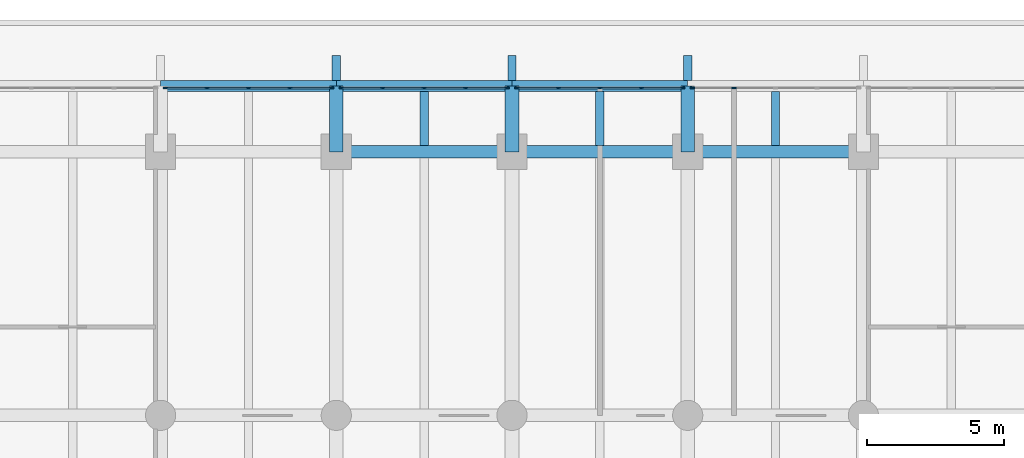
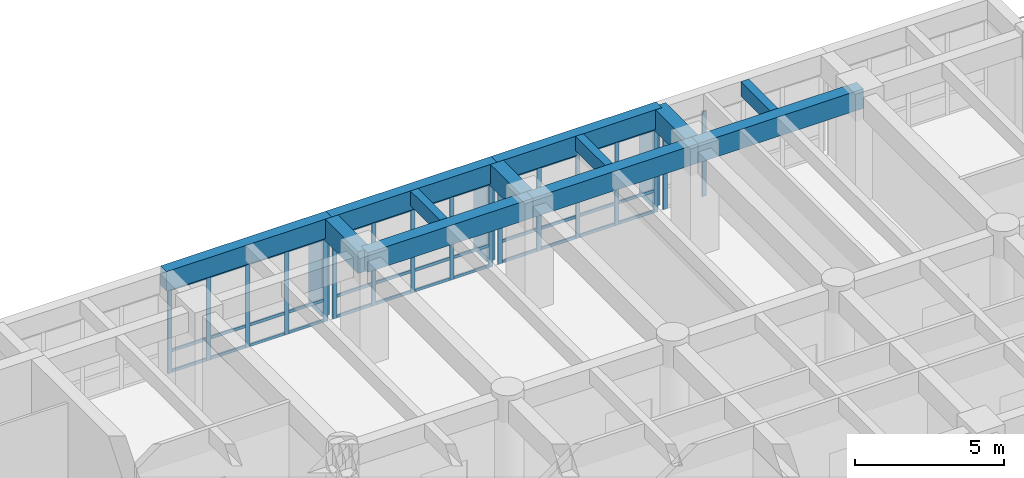
# One storey, part 6 of 21: 56 members, 12 beams, 4 elements without a shape of their own.
"""IFC4 building model written with IfcOpenShell, lengths in metres."""

from ifc_helpers import new_model, si_unit, direction, frame, origin, origin_2d, place, context, subcontext, project, spatial, rectangle, extrude, material, layer, layer_set, material_profile, profile_set, type_object, element, aggregate, save


model = new_model("IFC4")

# Units and contexts
model_context = context("Model", 3, precision=1e-05, world=origin(), true_north=direction((0.0, 1.0)))
body_context = subcontext(model_context, "Body", "Model", "MODEL_VIEW")
ifc_project = project(units=[si_unit("LENGTHUNIT", "METRE"), si_unit("AREAUNIT", "SQUARE_METRE"), si_unit("VOLUMEUNIT", "CUBIC_METRE"), si_unit("PLANEANGLEUNIT", "RADIAN"), si_unit("MASSUNIT", "GRAM", prefix="KILO")], contexts=[model_context])

# Site, building, storey
site_placement = place(None, origin())
site = spatial("IfcSite", under=ifc_project, at=site_placement, CompositionType="ELEMENT")
building_placement = place(site_placement, origin())
building = spatial("IfcBuilding", under=site, at=building_placement, Name="Fogon Plaza Fire Station and Headquarters Tower", CompositionType="ELEMENT")
storey_placement = place(building_placement, frame((0.0, 0.0, 8.39990234375)))
storey = spatial("IfcBuildingStorey", under=building, at=storey_placement, Name="L02", CompositionType="ELEMENT", Elevation=8.39990234375)

# Beams
ifc_material_1 = material(Name="Concrete C40", Category="concrete")
ifc_material_profile_1 = material_profile(ifc_material_1, rectangle(XDim=0.39990234375, YDim=0.800048828125, at=origin_2d()), Name="RC 400x800")
ifc_profile_set_1 = profile_set([ifc_material_profile_1], Name="Concrete C40")
beam_type_1 = type_object("IfcBeamType", Name="BEAM RC 400x800", PredefinedType="BEAM", material=ifc_profile_set_1)
beam_1_placement = place(storey_placement, frame((32.0, 55.199951171875, 3.880126953125), z_axis=(1.0, 0.0, 0.0), x_axis=(0.0, 1.0, 0.0)))
element("IfcBeam", 1, at=beam_1_placement, inside=storey, type_object=beam_type_1, Name="beam-L02-046", PredefinedType="BEAM", context=body_context, shape_type="SweptSolid", body=[
    extrude(rectangle(XDim=0.39990234375, YDim=0.800048828125, at=origin_2d()), origin(), (0.0, 0.0, 1.0), 6.39990234375),
])
beam_2_placement = place(storey_placement, frame((38.39990234375, 55.199951171875, 3.880126953125), z_axis=(1.0, 0.0, 0.0), x_axis=(0.0, 1.0, 0.0)))
element("IfcBeam", 2, at=beam_2_placement, inside=storey, type_object=beam_type_1, Name="beam-L02-047", PredefinedType="BEAM", context=body_context, shape_type="SweptSolid", body=[
    extrude(rectangle(XDim=0.39990234375, YDim=0.800048828125, at=origin_2d()), origin(), (0.0, 0.0, 1.0), 6.400146484375),
])
beam_3_placement = place(storey_placement, frame((44.800048828125, 55.199951171875, 3.880126953125), z_axis=(1.0, 0.0, 0.0), x_axis=(0.0, 1.0, 0.0)))
element("IfcBeam", 3, at=beam_3_placement, inside=storey, type_object=beam_type_1, Name="beam-L02-048", PredefinedType="BEAM", context=body_context, shape_type="SweptSolid", body=[
    extrude(rectangle(XDim=0.39990234375, YDim=0.800048828125, at=origin_2d()), origin(), (0.0, 0.0, 1.0), 6.39990234375),
])
ifc_material_2 = material(Name="Concrete C40", Category="concrete")
ifc_material_profile_2 = material_profile(ifc_material_2, rectangle(XDim=0.449951171875, YDim=0.800048828125, at=origin_2d()), Name="RC 450x800")
ifc_profile_set_2 = profile_set([ifc_material_profile_2], Name="Concrete C40")
beam_type_2 = type_object("IfcBeamType", Name="BEAM RC 450x800", PredefinedType="BEAM", material=ifc_profile_set_2)
beam_4_placement = place(storey_placement, frame((38.39990234375, 52.800048828125, 3.880126953125), z_axis=(1.0, 0.0, 0.0), x_axis=(0.0, 1.0, 0.0)))
element("IfcBeam", 4, at=beam_4_placement, inside=storey, type_object=beam_type_2, Name="beam-L02-035", PredefinedType="BEAM", context=body_context, shape_type="SweptSolid", body=[
    extrude(rectangle(XDim=0.449951171875, YDim=0.800048828125, at=origin_2d()), origin(), (0.0, 0.0, 1.0), 6.400146484375),
])
beam_5_placement = place(storey_placement, frame((44.800048828125, 52.800048828125, 3.880126953125), z_axis=(1.0, 0.0, 0.0), x_axis=(0.0, 1.0, 0.0)))
element("IfcBeam", 5, at=beam_5_placement, inside=storey, type_object=beam_type_2, Name="beam-L02-036", PredefinedType="BEAM", context=body_context, shape_type="SweptSolid", body=[
    extrude(rectangle(XDim=0.449951171875, YDim=0.800048828125, at=origin_2d()), origin(), (0.0, 0.0, 1.0), 6.39990234375),
])
beam_6_placement = place(storey_placement, frame((51.199951171875, 52.800048828125, 3.880126953125), z_axis=(1.0, 0.0, 0.0), x_axis=(0.0, 1.0, 0.0)))
element("IfcBeam", 6, at=beam_6_placement, inside=storey, type_object=beam_type_2, Name="beam-L02-037", PredefinedType="BEAM", context=body_context, shape_type="SweptSolid", body=[
    extrude(rectangle(XDim=0.449951171875, YDim=0.800048828125, at=origin_2d()), origin(), (0.0, 0.0, 1.0), 6.400146484375),
])
ifc_material_3 = material(Name="Concrete C40", Category="concrete")
ifc_material_profile_3 = material_profile(ifc_material_3, rectangle(XDim=0.5, YDim=0.89990234375, at=origin_2d()), Name="RC 500x900")
ifc_profile_set_3 = profile_set([ifc_material_profile_3], Name="Concrete C40")
beam_type_3 = type_object("IfcBeamType", Name="BEAM RC 500x900 SPAN 0.0 TO 3.0 M", PredefinedType="BEAM", material=ifc_profile_set_3)
for number, where, z_axis, x_axis, name in (
    (7, (38.39990234375, 52.800048828125, 3.830078125), (0.0, 1.0, 0.0), (-1.0, 0.0, 0.0), "beam-L02-008"),
    (8, (44.800048828125, 52.800048828125, 3.830078125), (0.0, 1.0, 0.0), (-1.0, 0.0, 0.0), "beam-L02-012"),
    (9, (51.199951171875, 52.800048828125, 3.830078125), (0.0, 1.0, 0.0), (-1.0, 0.0, 0.0), "beam-L02-016"),
):
    element("IfcBeam", number, at=place(storey_placement, frame(where, z_axis=z_axis, x_axis=x_axis)), inside=storey, type_object=beam_type_3, Name=name, PredefinedType="BEAM", context=body_context, shape_type="SweptSolid", body=[
        extrude(rectangle(XDim=0.5, YDim=0.89990234375, at=origin_2d()), origin(), (0.0, 0.0, 1.0), 2.39990234375),
    ])

# Curtain wall, members
ifc_material_4 = material(Name="Aluminium and glass", Category="aluminium")
ifc_layer = layer(ifc_material_4, 0.14990234375)
ifc_layer_set = layer_set([ifc_layer], Name="Aluminium and glass")
curtain_wall_type = type_object("IfcCurtainWallType", Name="Unitised Curtain Wall Run 6100x3480", PredefinedType="NOTDEFINED", material=ifc_layer_set)
curtain_wall_1_placement = place(storey_placement, origin())
curtain_wall_1 = element("IfcCurtainWall", 10, at=curtain_wall_1_placement, inside=storey, type_object=curtain_wall_type, Name="CW-6100x3480 N2 L02", PredefinedType="NOTDEFINED")
ifc_material_5 = material(Name="Aluminium", Category="aluminium")
ifc_material_profile_4 = material_profile(ifc_material_5, rectangle(XDim=0.06005859375, YDim=0.159912109375, at=origin_2d()), Name="Curtain Wall Mullion 60x160")
ifc_profile_set_4 = profile_set([ifc_material_profile_4], Name="Aluminium")
member_type_1 = type_object("IfcMemberType", Name="Curtain Wall Mullion 60x160", PredefinedType="MULLION", material=ifc_profile_set_4)
member_1_placement = place(storey_placement, frame((32.179931640625, 55.1201171875, 0.0), z_axis=(0.0, 0.0, 1.0), x_axis=(0.0, 1.0, 0.0)))
member_1 = element("IfcMember", 11, at=member_1_placement, type_object=member_type_1, Name="CW-6100x3480 mullion 1", PredefinedType="MULLION", context=body_context, shape_type="SweptSolid", body=[
    extrude(rectangle(XDim=0.06005859375, YDim=0.159912109375, at=origin_2d()), origin(), (0.0, 0.0, 1.0), 3.47998046875),
])
member_2_placement = place(storey_placement, frame((33.68994140625, 55.1201171875, 0.0), z_axis=(0.0, 0.0, 1.0), x_axis=(0.0, 1.0, 0.0)))
member_2 = element("IfcMember", 12, at=member_2_placement, type_object=member_type_1, Name="CW-6100x3480 mullion 2", PredefinedType="MULLION", context=body_context, shape_type="SweptSolid", body=[
    extrude(rectangle(XDim=0.06005859375, YDim=0.159912109375, at=origin_2d()), origin(), (0.0, 0.0, 1.0), 3.47998046875),
])
member_3_placement = place(storey_placement, frame((35.199951171875, 55.1201171875, 0.0), z_axis=(0.0, 0.0, 1.0), x_axis=(0.0, 1.0, 0.0)))
member_3 = element("IfcMember", 13, at=member_3_placement, type_object=member_type_1, Name="CW-6100x3480 mullion 3", PredefinedType="MULLION", context=body_context, shape_type="SweptSolid", body=[
    extrude(rectangle(XDim=0.06005859375, YDim=0.159912109375, at=origin_2d()), origin(), (0.0, 0.0, 1.0), 3.47998046875),
])
member_4_placement = place(storey_placement, frame((36.7099609375, 55.1201171875, 0.0), z_axis=(0.0, 0.0, 1.0), x_axis=(0.0, 1.0, 0.0)))
member_4 = element("IfcMember", 14, at=member_4_placement, type_object=member_type_1, Name="CW-6100x3480 mullion 4", PredefinedType="MULLION", context=body_context, shape_type="SweptSolid", body=[
    extrude(rectangle(XDim=0.06005859375, YDim=0.159912109375, at=origin_2d()), origin(), (0.0, 0.0, 1.0), 3.47998046875),
])
member_5_placement = place(storey_placement, frame((38.219970703125, 55.1201171875, 0.0), z_axis=(0.0, 0.0, 1.0), x_axis=(0.0, 1.0, 0.0)))
member_5 = element("IfcMember", 15, at=member_5_placement, type_object=member_type_1, Name="CW-6100x3480 mullion 5", PredefinedType="MULLION", context=body_context, shape_type="SweptSolid", body=[
    extrude(rectangle(XDim=0.06005859375, YDim=0.159912109375, at=origin_2d()), origin(), (0.0, 0.0, 1.0), 3.47998046875),
])

curtain_wall_2_placement = place(storey_placement, origin())
curtain_wall_2 = element("IfcCurtainWall", 16, at=curtain_wall_2_placement, inside=storey, type_object=curtain_wall_type, Name="CW-6100x3480 N3 L02", PredefinedType="NOTDEFINED")
member_6_placement = place(storey_placement, frame((38.580078125, 55.1201171875, 0.0), z_axis=(0.0, 0.0, 1.0), x_axis=(0.0, 1.0, 0.0)))
member_6 = element("IfcMember", 17, at=member_6_placement, type_object=member_type_1, Name="CW-6100x3480 mullion 1", PredefinedType="MULLION", context=body_context, shape_type="SweptSolid", body=[
    extrude(rectangle(XDim=0.06005859375, YDim=0.159912109375, at=origin_2d()), origin(), (0.0, 0.0, 1.0), 3.47998046875),
])
member_7_placement = place(storey_placement, frame((40.090087890625, 55.1201171875, 0.0), z_axis=(0.0, 0.0, 1.0), x_axis=(0.0, 1.0, 0.0)))
member_7 = element("IfcMember", 18, at=member_7_placement, type_object=member_type_1, Name="CW-6100x3480 mullion 2", PredefinedType="MULLION", context=body_context, shape_type="SweptSolid", body=[
    extrude(rectangle(XDim=0.06005859375, YDim=0.159912109375, at=origin_2d()), origin(), (0.0, 0.0, 1.0), 3.47998046875),
])
member_8_placement = place(storey_placement, frame((41.60009765625, 55.1201171875, 0.0), z_axis=(0.0, 0.0, 1.0), x_axis=(0.0, 1.0, 0.0)))
member_8 = element("IfcMember", 19, at=member_8_placement, type_object=member_type_1, Name="CW-6100x3480 mullion 3", PredefinedType="MULLION", context=body_context, shape_type="SweptSolid", body=[
    extrude(rectangle(XDim=0.06005859375, YDim=0.159912109375, at=origin_2d()), origin(), (0.0, 0.0, 1.0), 3.47998046875),
])
member_9_placement = place(storey_placement, frame((43.110107421875, 55.1201171875, 0.0), z_axis=(0.0, 0.0, 1.0), x_axis=(0.0, 1.0, 0.0)))
member_9 = element("IfcMember", 20, at=member_9_placement, type_object=member_type_1, Name="CW-6100x3480 mullion 4", PredefinedType="MULLION", context=body_context, shape_type="SweptSolid", body=[
    extrude(rectangle(XDim=0.06005859375, YDim=0.159912109375, at=origin_2d()), origin(), (0.0, 0.0, 1.0), 3.47998046875),
])
member_10_placement = place(storey_placement, frame((44.6201171875, 55.1201171875, 0.0), z_axis=(0.0, 0.0, 1.0), x_axis=(0.0, 1.0, 0.0)))
member_10 = element("IfcMember", 21, at=member_10_placement, type_object=member_type_1, Name="CW-6100x3480 mullion 5", PredefinedType="MULLION", context=body_context, shape_type="SweptSolid", body=[
    extrude(rectangle(XDim=0.06005859375, YDim=0.159912109375, at=origin_2d()), origin(), (0.0, 0.0, 1.0), 3.47998046875),
])

curtain_wall_3_placement = place(storey_placement, origin())
curtain_wall_3 = element("IfcCurtainWall", 22, at=curtain_wall_3_placement, inside=storey, type_object=curtain_wall_type, Name="CW-6100x3480 N4 L02", PredefinedType="NOTDEFINED")
member_11_placement = place(storey_placement, frame((44.97998046875, 55.1201171875, 0.0), z_axis=(0.0, 0.0, 1.0), x_axis=(0.0, 1.0, 0.0)))
member_11 = element("IfcMember", 23, at=member_11_placement, type_object=member_type_1, Name="CW-6100x3480 mullion 1", PredefinedType="MULLION", context=body_context, shape_type="SweptSolid", body=[
    extrude(rectangle(XDim=0.06005859375, YDim=0.159912109375, at=origin_2d()), origin(), (0.0, 0.0, 1.0), 3.47998046875),
])
member_12_placement = place(storey_placement, frame((46.489990234375, 55.1201171875, 0.0), z_axis=(0.0, 0.0, 1.0), x_axis=(0.0, 1.0, 0.0)))
member_12 = element("IfcMember", 24, at=member_12_placement, type_object=member_type_1, Name="CW-6100x3480 mullion 2", PredefinedType="MULLION", context=body_context, shape_type="SweptSolid", body=[
    extrude(rectangle(XDim=0.06005859375, YDim=0.159912109375, at=origin_2d()), origin(), (0.0, 0.0, 1.0), 3.47998046875),
])
member_13_placement = place(storey_placement, frame((48.0, 55.1201171875, 0.0), z_axis=(0.0, 0.0, 1.0), x_axis=(0.0, 1.0, 0.0)))
member_13 = element("IfcMember", 25, at=member_13_placement, type_object=member_type_1, Name="CW-6100x3480 mullion 3", PredefinedType="MULLION", context=body_context, shape_type="SweptSolid", body=[
    extrude(rectangle(XDim=0.06005859375, YDim=0.159912109375, at=origin_2d()), origin(), (0.0, 0.0, 1.0), 3.47998046875),
])
member_14_placement = place(storey_placement, frame((49.510009765625, 55.1201171875, 0.0), z_axis=(0.0, 0.0, 1.0), x_axis=(0.0, 1.0, 0.0)))
member_14 = element("IfcMember", 26, at=member_14_placement, type_object=member_type_1, Name="CW-6100x3480 mullion 4", PredefinedType="MULLION", context=body_context, shape_type="SweptSolid", body=[
    extrude(rectangle(XDim=0.06005859375, YDim=0.159912109375, at=origin_2d()), origin(), (0.0, 0.0, 1.0), 3.47998046875),
])
member_15_placement = place(storey_placement, frame((51.02001953125, 55.1201171875, 0.0), z_axis=(0.0, 0.0, 1.0), x_axis=(0.0, 1.0, 0.0)))
member_15 = element("IfcMember", 27, at=member_15_placement, type_object=member_type_1, Name="CW-6100x3480 mullion 5", PredefinedType="MULLION", context=body_context, shape_type="SweptSolid", body=[
    extrude(rectangle(XDim=0.06005859375, YDim=0.159912109375, at=origin_2d()), origin(), (0.0, 0.0, 1.0), 3.47998046875),
])

curtain_wall_4_placement = place(storey_placement, origin())
curtain_wall_4 = element("IfcCurtainWall", 28, at=curtain_wall_4_placement, inside=storey, type_object=curtain_wall_type, Name="CW-6100x3480 N5 L02", PredefinedType="NOTDEFINED")
member_16_placement = place(storey_placement, frame((51.3798828125, 55.1201171875, 0.0), z_axis=(0.0, 0.0, 1.0), x_axis=(0.0, 1.0, 0.0)))
member_16 = element("IfcMember", 29, at=member_16_placement, type_object=member_type_1, Name="CW-6100x3480 mullion 1", PredefinedType="MULLION", context=body_context, shape_type="SweptSolid", body=[
    extrude(rectangle(XDim=0.06005859375, YDim=0.159912109375, at=origin_2d()), origin(), (0.0, 0.0, 1.0), 3.47998046875),
])
member_17_placement = place(storey_placement, frame((52.889892578125, 55.1201171875, 0.0), z_axis=(0.0, 0.0, 1.0), x_axis=(0.0, 1.0, 0.0)))
member_17 = element("IfcMember", 30, at=member_17_placement, type_object=member_type_1, Name="CW-6100x3480 mullion 2", PredefinedType="MULLION", context=body_context, shape_type="SweptSolid", body=[
    extrude(rectangle(XDim=0.06005859375, YDim=0.159912109375, at=origin_2d()), origin(), (0.0, 0.0, 1.0), 3.47998046875),
])
aggregate(curtain_wall_4, [member_16, member_17])

# Member
ifc_material_6 = material(Name="Aluminium", Category="aluminium")
ifc_material_profile_5 = material_profile(ifc_material_6, rectangle(XDim=0.06005859375, YDim=0.1201171875, at=origin_2d()), Name="Curtain Wall Transom 60x120")
ifc_profile_set_5 = profile_set([ifc_material_profile_5], Name="Aluminium")
member_type_2 = type_object("IfcMemberType", Name="Curtain Wall Transom 60x120", PredefinedType="USERDEFINED", material=ifc_profile_set_5)
member_18_placement = place(storey_placement, frame((32.2099609375, 55.1201171875, 0.06005859375), z_axis=(1.0, 0.0, 0.0), x_axis=(0.0, 1.0, 0.0)))
member_18 = element("IfcMember", 31, at=member_18_placement, type_object=member_type_2, Name="CW-6100x3480 transom 1.1", ObjectType="TRANSOM", PredefinedType="USERDEFINED", context=body_context, shape_type="SweptSolid", body=[
    extrude(rectangle(XDim=0.06005859375, YDim=0.1201171875, at=origin_2d()), origin(), (0.0, 0.0, 1.0), 1.449951171875),
])

member_19_placement = place(storey_placement, frame((32.2099609375, 55.1201171875, 0.900146484375), z_axis=(1.0, 0.0, 0.0), x_axis=(0.0, 1.0, 0.0)))
member_19 = element("IfcMember", 32, at=member_19_placement, type_object=member_type_2, Name="CW-6100x3480 transom 1.2", ObjectType="TRANSOM", PredefinedType="USERDEFINED", context=body_context, shape_type="SweptSolid", body=[
    extrude(rectangle(XDim=0.06005859375, YDim=0.1201171875, at=origin_2d()), origin(), (0.0, 0.0, 1.0), 1.449951171875),
])

member_20_placement = place(storey_placement, frame((32.2099609375, 55.1201171875, 3.420166015625), z_axis=(1.0, 0.0, 0.0), x_axis=(0.0, 1.0, 0.0)))
member_20 = element("IfcMember", 33, at=member_20_placement, type_object=member_type_2, Name="CW-6100x3480 transom 1.3", ObjectType="TRANSOM", PredefinedType="USERDEFINED", context=body_context, shape_type="SweptSolid", body=[
    extrude(rectangle(XDim=0.06005859375, YDim=0.1201171875, at=origin_2d()), origin(), (0.0, 0.0, 1.0), 1.449951171875),
])

member_21_placement = place(storey_placement, frame((33.719970703125, 55.1201171875, 0.06005859375), z_axis=(1.0, 0.0, 0.0), x_axis=(0.0, 1.0, 0.0)))
member_21 = element("IfcMember", 34, at=member_21_placement, type_object=member_type_2, Name="CW-6100x3480 transom 2.1", ObjectType="TRANSOM", PredefinedType="USERDEFINED", context=body_context, shape_type="SweptSolid", body=[
    extrude(rectangle(XDim=0.06005859375, YDim=0.1201171875, at=origin_2d()), origin(), (0.0, 0.0, 1.0), 1.449951171875),
])

member_22_placement = place(storey_placement, frame((33.719970703125, 55.1201171875, 0.900146484375), z_axis=(1.0, 0.0, 0.0), x_axis=(0.0, 1.0, 0.0)))
member_22 = element("IfcMember", 35, at=member_22_placement, type_object=member_type_2, Name="CW-6100x3480 transom 2.2", ObjectType="TRANSOM", PredefinedType="USERDEFINED", context=body_context, shape_type="SweptSolid", body=[
    extrude(rectangle(XDim=0.06005859375, YDim=0.1201171875, at=origin_2d()), origin(), (0.0, 0.0, 1.0), 1.449951171875),
])

member_23_placement = place(storey_placement, frame((33.719970703125, 55.1201171875, 3.420166015625), z_axis=(1.0, 0.0, 0.0), x_axis=(0.0, 1.0, 0.0)))
member_23 = element("IfcMember", 36, at=member_23_placement, type_object=member_type_2, Name="CW-6100x3480 transom 2.3", ObjectType="TRANSOM", PredefinedType="USERDEFINED", context=body_context, shape_type="SweptSolid", body=[
    extrude(rectangle(XDim=0.06005859375, YDim=0.1201171875, at=origin_2d()), origin(), (0.0, 0.0, 1.0), 1.449951171875),
])

member_24_placement = place(storey_placement, frame((35.22998046875, 55.1201171875, 0.06005859375), z_axis=(1.0, 0.0, 0.0), x_axis=(0.0, 1.0, 0.0)))
member_24 = element("IfcMember", 37, at=member_24_placement, type_object=member_type_2, Name="CW-6100x3480 transom 3.1", ObjectType="TRANSOM", PredefinedType="USERDEFINED", context=body_context, shape_type="SweptSolid", body=[
    extrude(rectangle(XDim=0.06005859375, YDim=0.1201171875, at=origin_2d()), origin(), (0.0, 0.0, 1.0), 1.449951171875),
])

member_25_placement = place(storey_placement, frame((35.22998046875, 55.1201171875, 0.900146484375), z_axis=(1.0, 0.0, 0.0), x_axis=(0.0, 1.0, 0.0)))
member_25 = element("IfcMember", 38, at=member_25_placement, type_object=member_type_2, Name="CW-6100x3480 transom 3.2", ObjectType="TRANSOM", PredefinedType="USERDEFINED", context=body_context, shape_type="SweptSolid", body=[
    extrude(rectangle(XDim=0.06005859375, YDim=0.1201171875, at=origin_2d()), origin(), (0.0, 0.0, 1.0), 1.449951171875),
])

member_26_placement = place(storey_placement, frame((35.22998046875, 55.1201171875, 3.420166015625), z_axis=(1.0, 0.0, 0.0), x_axis=(0.0, 1.0, 0.0)))
member_26 = element("IfcMember", 39, at=member_26_placement, type_object=member_type_2, Name="CW-6100x3480 transom 3.3", ObjectType="TRANSOM", PredefinedType="USERDEFINED", context=body_context, shape_type="SweptSolid", body=[
    extrude(rectangle(XDim=0.06005859375, YDim=0.1201171875, at=origin_2d()), origin(), (0.0, 0.0, 1.0), 1.449951171875),
])

member_27_placement = place(storey_placement, frame((36.739990234375, 55.1201171875, 0.06005859375), z_axis=(1.0, 0.0, 0.0), x_axis=(0.0, 1.0, 0.0)))
member_27 = element("IfcMember", 40, at=member_27_placement, type_object=member_type_2, Name="CW-6100x3480 transom 4.1", ObjectType="TRANSOM", PredefinedType="USERDEFINED", context=body_context, shape_type="SweptSolid", body=[
    extrude(rectangle(XDim=0.06005859375, YDim=0.1201171875, at=origin_2d()), origin(), (0.0, 0.0, 1.0), 1.449951171875),
])

member_28_placement = place(storey_placement, frame((36.739990234375, 55.1201171875, 0.900146484375), z_axis=(1.0, 0.0, 0.0), x_axis=(0.0, 1.0, 0.0)))
member_28 = element("IfcMember", 41, at=member_28_placement, type_object=member_type_2, Name="CW-6100x3480 transom 4.2", ObjectType="TRANSOM", PredefinedType="USERDEFINED", context=body_context, shape_type="SweptSolid", body=[
    extrude(rectangle(XDim=0.06005859375, YDim=0.1201171875, at=origin_2d()), origin(), (0.0, 0.0, 1.0), 1.449951171875),
])

member_29_placement = place(storey_placement, frame((36.739990234375, 55.1201171875, 3.420166015625), z_axis=(1.0, 0.0, 0.0), x_axis=(0.0, 1.0, 0.0)))
member_29 = element("IfcMember", 42, at=member_29_placement, type_object=member_type_2, Name="CW-6100x3480 transom 4.3", ObjectType="TRANSOM", PredefinedType="USERDEFINED", context=body_context, shape_type="SweptSolid", body=[
    extrude(rectangle(XDim=0.06005859375, YDim=0.1201171875, at=origin_2d()), origin(), (0.0, 0.0, 1.0), 1.449951171875),
])

aggregate(curtain_wall_1, [member_1, member_2, member_3, member_4, member_5, member_18, member_19, member_20, member_21, member_22, member_23, member_24, member_25, member_26, member_27, member_28, member_29])

member_30_placement = place(storey_placement, frame((38.610107421875, 55.1201171875, 0.06005859375), z_axis=(1.0, 0.0, 0.0), x_axis=(0.0, 1.0, 0.0)))
member_30 = element("IfcMember", 43, at=member_30_placement, type_object=member_type_2, Name="CW-6100x3480 transom 1.1", ObjectType="TRANSOM", PredefinedType="USERDEFINED", context=body_context, shape_type="SweptSolid", body=[
    extrude(rectangle(XDim=0.06005859375, YDim=0.1201171875, at=origin_2d()), origin(), (0.0, 0.0, 1.0), 1.449951171875),
])

member_31_placement = place(storey_placement, frame((38.610107421875, 55.1201171875, 0.900146484375), z_axis=(1.0, 0.0, 0.0), x_axis=(0.0, 1.0, 0.0)))
member_31 = element("IfcMember", 44, at=member_31_placement, type_object=member_type_2, Name="CW-6100x3480 transom 1.2", ObjectType="TRANSOM", PredefinedType="USERDEFINED", context=body_context, shape_type="SweptSolid", body=[
    extrude(rectangle(XDim=0.06005859375, YDim=0.1201171875, at=origin_2d()), origin(), (0.0, 0.0, 1.0), 1.449951171875),
])

member_32_placement = place(storey_placement, frame((38.610107421875, 55.1201171875, 3.420166015625), z_axis=(1.0, 0.0, 0.0), x_axis=(0.0, 1.0, 0.0)))
member_32 = element("IfcMember", 45, at=member_32_placement, type_object=member_type_2, Name="CW-6100x3480 transom 1.3", ObjectType="TRANSOM", PredefinedType="USERDEFINED", context=body_context, shape_type="SweptSolid", body=[
    extrude(rectangle(XDim=0.06005859375, YDim=0.1201171875, at=origin_2d()), origin(), (0.0, 0.0, 1.0), 1.449951171875),
])

member_33_placement = place(storey_placement, frame((40.1201171875, 55.1201171875, 0.06005859375), z_axis=(1.0, 0.0, 0.0), x_axis=(0.0, 1.0, 0.0)))
member_33 = element("IfcMember", 46, at=member_33_placement, type_object=member_type_2, Name="CW-6100x3480 transom 2.1", ObjectType="TRANSOM", PredefinedType="USERDEFINED", context=body_context, shape_type="SweptSolid", body=[
    extrude(rectangle(XDim=0.06005859375, YDim=0.1201171875, at=origin_2d()), origin(), (0.0, 0.0, 1.0), 1.449951171875),
])

member_34_placement = place(storey_placement, frame((40.1201171875, 55.1201171875, 0.900146484375), z_axis=(1.0, 0.0, 0.0), x_axis=(0.0, 1.0, 0.0)))
member_34 = element("IfcMember", 47, at=member_34_placement, type_object=member_type_2, Name="CW-6100x3480 transom 2.2", ObjectType="TRANSOM", PredefinedType="USERDEFINED", context=body_context, shape_type="SweptSolid", body=[
    extrude(rectangle(XDim=0.06005859375, YDim=0.1201171875, at=origin_2d()), origin(), (0.0, 0.0, 1.0), 1.449951171875),
])

member_35_placement = place(storey_placement, frame((40.1201171875, 55.1201171875, 3.420166015625), z_axis=(1.0, 0.0, 0.0), x_axis=(0.0, 1.0, 0.0)))
member_35 = element("IfcMember", 48, at=member_35_placement, type_object=member_type_2, Name="CW-6100x3480 transom 2.3", ObjectType="TRANSOM", PredefinedType="USERDEFINED", context=body_context, shape_type="SweptSolid", body=[
    extrude(rectangle(XDim=0.06005859375, YDim=0.1201171875, at=origin_2d()), origin(), (0.0, 0.0, 1.0), 1.449951171875),
])

member_36_placement = place(storey_placement, frame((41.6298828125, 55.1201171875, 0.06005859375), z_axis=(1.0, 0.0, 0.0), x_axis=(0.0, 1.0, 0.0)))
member_36 = element("IfcMember", 49, at=member_36_placement, type_object=member_type_2, Name="CW-6100x3480 transom 3.1", ObjectType="TRANSOM", PredefinedType="USERDEFINED", context=body_context, shape_type="SweptSolid", body=[
    extrude(rectangle(XDim=0.06005859375, YDim=0.1201171875, at=origin_2d()), origin(), (0.0, 0.0, 1.0), 1.4501953125),
])

member_37_placement = place(storey_placement, frame((41.6298828125, 55.1201171875, 0.900146484375), z_axis=(1.0, 0.0, 0.0), x_axis=(0.0, 1.0, 0.0)))
member_37 = element("IfcMember", 50, at=member_37_placement, type_object=member_type_2, Name="CW-6100x3480 transom 3.2", ObjectType="TRANSOM", PredefinedType="USERDEFINED", context=body_context, shape_type="SweptSolid", body=[
    extrude(rectangle(XDim=0.06005859375, YDim=0.1201171875, at=origin_2d()), origin(), (0.0, 0.0, 1.0), 1.4501953125),
])

member_38_placement = place(storey_placement, frame((41.6298828125, 55.1201171875, 3.420166015625), z_axis=(1.0, 0.0, 0.0), x_axis=(0.0, 1.0, 0.0)))
member_38 = element("IfcMember", 51, at=member_38_placement, type_object=member_type_2, Name="CW-6100x3480 transom 3.3", ObjectType="TRANSOM", PredefinedType="USERDEFINED", context=body_context, shape_type="SweptSolid", body=[
    extrude(rectangle(XDim=0.06005859375, YDim=0.1201171875, at=origin_2d()), origin(), (0.0, 0.0, 1.0), 1.4501953125),
])

member_39_placement = place(storey_placement, frame((43.139892578125, 55.1201171875, 0.06005859375), z_axis=(1.0, 0.0, 0.0), x_axis=(0.0, 1.0, 0.0)))
member_39 = element("IfcMember", 52, at=member_39_placement, type_object=member_type_2, Name="CW-6100x3480 transom 4.1", ObjectType="TRANSOM", PredefinedType="USERDEFINED", context=body_context, shape_type="SweptSolid", body=[
    extrude(rectangle(XDim=0.06005859375, YDim=0.1201171875, at=origin_2d()), origin(), (0.0, 0.0, 1.0), 1.4501953125),
])

member_40_placement = place(storey_placement, frame((43.139892578125, 55.1201171875, 0.900146484375), z_axis=(1.0, 0.0, 0.0), x_axis=(0.0, 1.0, 0.0)))
member_40 = element("IfcMember", 53, at=member_40_placement, type_object=member_type_2, Name="CW-6100x3480 transom 4.2", ObjectType="TRANSOM", PredefinedType="USERDEFINED", context=body_context, shape_type="SweptSolid", body=[
    extrude(rectangle(XDim=0.06005859375, YDim=0.1201171875, at=origin_2d()), origin(), (0.0, 0.0, 1.0), 1.4501953125),
])

member_41_placement = place(storey_placement, frame((43.139892578125, 55.1201171875, 3.420166015625), z_axis=(1.0, 0.0, 0.0), x_axis=(0.0, 1.0, 0.0)))
member_41 = element("IfcMember", 54, at=member_41_placement, type_object=member_type_2, Name="CW-6100x3480 transom 4.3", ObjectType="TRANSOM", PredefinedType="USERDEFINED", context=body_context, shape_type="SweptSolid", body=[
    extrude(rectangle(XDim=0.06005859375, YDim=0.1201171875, at=origin_2d()), origin(), (0.0, 0.0, 1.0), 1.4501953125),
])

aggregate(curtain_wall_2, [member_6, member_7, member_8, member_9, member_10, member_30, member_31, member_32, member_33, member_34, member_35, member_36, member_37, member_38, member_39, member_40, member_41])

member_42_placement = place(storey_placement, frame((45.010009765625, 55.1201171875, 0.06005859375), z_axis=(1.0, 0.0, 0.0), x_axis=(0.0, 1.0, 0.0)))
member_42 = element("IfcMember", 55, at=member_42_placement, type_object=member_type_2, Name="CW-6100x3480 transom 1.1", ObjectType="TRANSOM", PredefinedType="USERDEFINED", context=body_context, shape_type="SweptSolid", body=[
    extrude(rectangle(XDim=0.06005859375, YDim=0.1201171875, at=origin_2d()), origin(), (0.0, 0.0, 1.0), 1.449951171875),
])

member_43_placement = place(storey_placement, frame((45.010009765625, 55.1201171875, 0.900146484375), z_axis=(1.0, 0.0, 0.0), x_axis=(0.0, 1.0, 0.0)))
member_43 = element("IfcMember", 56, at=member_43_placement, type_object=member_type_2, Name="CW-6100x3480 transom 1.2", ObjectType="TRANSOM", PredefinedType="USERDEFINED", context=body_context, shape_type="SweptSolid", body=[
    extrude(rectangle(XDim=0.06005859375, YDim=0.1201171875, at=origin_2d()), origin(), (0.0, 0.0, 1.0), 1.449951171875),
])

member_44_placement = place(storey_placement, frame((45.010009765625, 55.1201171875, 3.420166015625), z_axis=(1.0, 0.0, 0.0), x_axis=(0.0, 1.0, 0.0)))
member_44 = element("IfcMember", 57, at=member_44_placement, type_object=member_type_2, Name="CW-6100x3480 transom 1.3", ObjectType="TRANSOM", PredefinedType="USERDEFINED", context=body_context, shape_type="SweptSolid", body=[
    extrude(rectangle(XDim=0.06005859375, YDim=0.1201171875, at=origin_2d()), origin(), (0.0, 0.0, 1.0), 1.449951171875),
])

member_45_placement = place(storey_placement, frame((46.52001953125, 55.1201171875, 0.06005859375), z_axis=(1.0, 0.0, 0.0), x_axis=(0.0, 1.0, 0.0)))
member_45 = element("IfcMember", 58, at=member_45_placement, type_object=member_type_2, Name="CW-6100x3480 transom 2.1", ObjectType="TRANSOM", PredefinedType="USERDEFINED", context=body_context, shape_type="SweptSolid", body=[
    extrude(rectangle(XDim=0.06005859375, YDim=0.1201171875, at=origin_2d()), origin(), (0.0, 0.0, 1.0), 1.449951171875),
])

member_46_placement = place(storey_placement, frame((46.52001953125, 55.1201171875, 0.900146484375), z_axis=(1.0, 0.0, 0.0), x_axis=(0.0, 1.0, 0.0)))
member_46 = element("IfcMember", 59, at=member_46_placement, type_object=member_type_2, Name="CW-6100x3480 transom 2.2", ObjectType="TRANSOM", PredefinedType="USERDEFINED", context=body_context, shape_type="SweptSolid", body=[
    extrude(rectangle(XDim=0.06005859375, YDim=0.1201171875, at=origin_2d()), origin(), (0.0, 0.0, 1.0), 1.449951171875),
])

member_47_placement = place(storey_placement, frame((46.52001953125, 55.1201171875, 3.420166015625), z_axis=(1.0, 0.0, 0.0), x_axis=(0.0, 1.0, 0.0)))
member_47 = element("IfcMember", 60, at=member_47_placement, type_object=member_type_2, Name="CW-6100x3480 transom 2.3", ObjectType="TRANSOM", PredefinedType="USERDEFINED", context=body_context, shape_type="SweptSolid", body=[
    extrude(rectangle(XDim=0.06005859375, YDim=0.1201171875, at=origin_2d()), origin(), (0.0, 0.0, 1.0), 1.449951171875),
])

member_48_placement = place(storey_placement, frame((48.030029296875, 55.1201171875, 0.06005859375), z_axis=(1.0, 0.0, 0.0), x_axis=(0.0, 1.0, 0.0)))
member_48 = element("IfcMember", 61, at=member_48_placement, type_object=member_type_2, Name="CW-6100x3480 transom 3.1", ObjectType="TRANSOM", PredefinedType="USERDEFINED", context=body_context, shape_type="SweptSolid", body=[
    extrude(rectangle(XDim=0.06005859375, YDim=0.1201171875, at=origin_2d()), origin(), (0.0, 0.0, 1.0), 1.449951171875),
])

member_49_placement = place(storey_placement, frame((48.030029296875, 55.1201171875, 0.900146484375), z_axis=(1.0, 0.0, 0.0), x_axis=(0.0, 1.0, 0.0)))
member_49 = element("IfcMember", 62, at=member_49_placement, type_object=member_type_2, Name="CW-6100x3480 transom 3.2", ObjectType="TRANSOM", PredefinedType="USERDEFINED", context=body_context, shape_type="SweptSolid", body=[
    extrude(rectangle(XDim=0.06005859375, YDim=0.1201171875, at=origin_2d()), origin(), (0.0, 0.0, 1.0), 1.449951171875),
])

member_50_placement = place(storey_placement, frame((48.030029296875, 55.1201171875, 3.420166015625), z_axis=(1.0, 0.0, 0.0), x_axis=(0.0, 1.0, 0.0)))
member_50 = element("IfcMember", 63, at=member_50_placement, type_object=member_type_2, Name="CW-6100x3480 transom 3.3", ObjectType="TRANSOM", PredefinedType="USERDEFINED", context=body_context, shape_type="SweptSolid", body=[
    extrude(rectangle(XDim=0.06005859375, YDim=0.1201171875, at=origin_2d()), origin(), (0.0, 0.0, 1.0), 1.449951171875),
])

member_51_placement = place(storey_placement, frame((49.5400390625, 55.1201171875, 0.06005859375), z_axis=(1.0, 0.0, 0.0), x_axis=(0.0, 1.0, 0.0)))
member_51 = element("IfcMember", 64, at=member_51_placement, type_object=member_type_2, Name="CW-6100x3480 transom 4.1", ObjectType="TRANSOM", PredefinedType="USERDEFINED", context=body_context, shape_type="SweptSolid", body=[
    extrude(rectangle(XDim=0.06005859375, YDim=0.1201171875, at=origin_2d()), origin(), (0.0, 0.0, 1.0), 1.449951171875),
])

member_52_placement = place(storey_placement, frame((49.5400390625, 55.1201171875, 0.900146484375), z_axis=(1.0, 0.0, 0.0), x_axis=(0.0, 1.0, 0.0)))
member_52 = element("IfcMember", 65, at=member_52_placement, type_object=member_type_2, Name="CW-6100x3480 transom 4.2", ObjectType="TRANSOM", PredefinedType="USERDEFINED", context=body_context, shape_type="SweptSolid", body=[
    extrude(rectangle(XDim=0.06005859375, YDim=0.1201171875, at=origin_2d()), origin(), (0.0, 0.0, 1.0), 1.449951171875),
])

member_53_placement = place(storey_placement, frame((49.5400390625, 55.1201171875, 3.420166015625), z_axis=(1.0, 0.0, 0.0), x_axis=(0.0, 1.0, 0.0)))
member_53 = element("IfcMember", 66, at=member_53_placement, type_object=member_type_2, Name="CW-6100x3480 transom 4.3", ObjectType="TRANSOM", PredefinedType="USERDEFINED", context=body_context, shape_type="SweptSolid", body=[
    extrude(rectangle(XDim=0.06005859375, YDim=0.1201171875, at=origin_2d()), origin(), (0.0, 0.0, 1.0), 1.449951171875),
])

aggregate(curtain_wall_3, [member_11, member_12, member_13, member_14, member_15, member_42, member_43, member_44, member_45, member_46, member_47, member_48, member_49, member_50, member_51, member_52, member_53])

# Beams
ifc_material_7 = material(Name="Concrete C40", Category="concrete")
ifc_material_profile_6 = material_profile(ifc_material_7, rectangle(XDim=0.300048828125, YDim=0.60009765625, at=origin_2d()), Name="RC 300x600")
ifc_profile_set_6 = profile_set([ifc_material_profile_6], Name="Concrete C40")
beam_type_4 = type_object("IfcBeamType", Name="JOIST RC 300x600 SPAN 0.0 TO 3.0 M", PredefinedType="JOIST", material=ifc_profile_set_6)
for number, where, z_axis, x_axis, name in (
    (67, (41.60009765625, 53.02490234375, 3.97998046875), (0.0, 1.0, 0.0), (-1.0, 0.0, 0.0), "beam-L02-066"),
    (68, (48.0, 53.02490234375, 3.97998046875), (0.0, 1.0, 0.0), (-1.0, 0.0, 0.0), "beam-L02-070"),
    (69, (54.39990234375, 53.02490234375, 3.97998046875), (0.0, 1.0, 0.0), (-1.0, 0.0, 0.0), "beam-L02-074"),
):
    element("IfcBeam", number, at=place(storey_placement, frame(where, z_axis=z_axis, x_axis=x_axis)), inside=storey, type_object=beam_type_4, Name=name, PredefinedType="JOIST", context=body_context, shape_type="SweptSolid", body=[
        extrude(rectangle(XDim=0.300048828125, YDim=0.60009765625, at=origin_2d()), origin(), (0.0, 0.0, 1.0), 1.97509765625),
    ])

# Members
ifc_material_8 = material(Name="Concrete C40 precast", Category="concrete")
ifc_material_profile_7 = material_profile(ifc_material_8, rectangle(XDim=0.300048828125, YDim=0.89990234375, at=origin_2d()), Name="Precast Concrete Post 300x900")
ifc_profile_set_7 = profile_set([ifc_material_profile_7], Name="Concrete C40 precast")
member_type_3 = type_object("IfcMemberType", Name="Precast Concrete Post 300x900", PredefinedType="POST", material=ifc_profile_set_7)
for number, where, z_axis, x_axis, name in (
    (70, (38.39990234375, 55.85009765625, 0.0), (0.0, 0.0, 1.0), (1.0, 0.0, 0.0), "Precast Post N L02"),
    (71, (44.800048828125, 55.85009765625, 0.0), (0.0, 0.0, 1.0), (1.0, 0.0, 0.0), "Precast Post N L02"),
    (72, (51.199951171875, 55.85009765625, 0.0), (0.0, 0.0, 1.0), (1.0, 0.0, 0.0), "Precast Post N L02"),
):
    element("IfcMember", number, at=place(storey_placement, frame(where, z_axis=z_axis, x_axis=x_axis)), inside=storey, type_object=member_type_3, Name=name, PredefinedType="POST", context=body_context, shape_type="SweptSolid", body=[
        extrude(rectangle(XDim=0.300048828125, YDim=0.89990234375, at=origin_2d()), origin(), (0.0, 0.0, 1.0), 3.47998046875),
    ])

save(model, "model.ifc")
